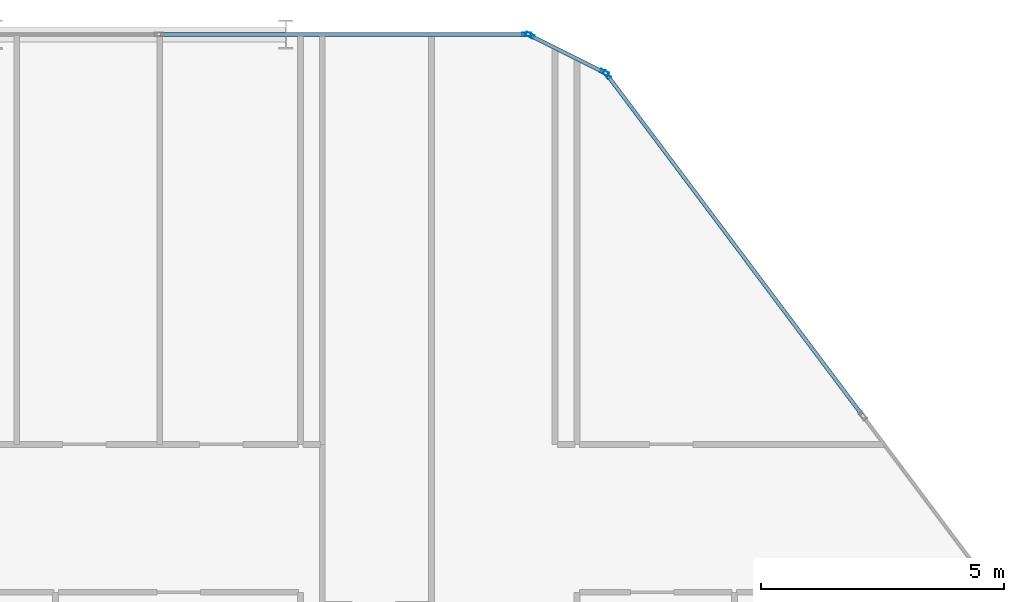
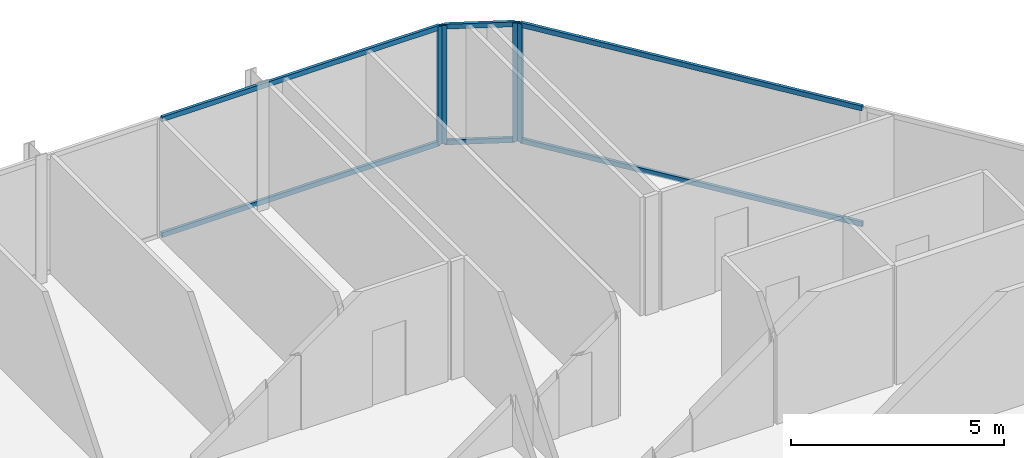
# One storey, part 20 of 30: 10 members, 3 elements without a shape of their own.
"""IFC4 building model written with IfcOpenShell, lengths in metres."""

from ifc_helpers import new_model, si_unit, direction, frame, origin, origin_2d, place, context, subcontext, project, spatial, hollow_rectangle, extrude, material, layer, layer_set, material_profile, profile_set, type_object, element, aggregate, save


model = new_model("IFC4")

# Units and contexts
model_context = context("Model", 3, precision=1e-05, world=origin(), true_north=direction((0.0, 1.0)))
body_context = subcontext(model_context, "Body", "Model", "MODEL_VIEW")
ifc_project = project(units=[si_unit("LENGTHUNIT", "METRE"), si_unit("AREAUNIT", "SQUARE_METRE"), si_unit("VOLUMEUNIT", "CUBIC_METRE"), si_unit("PLANEANGLEUNIT", "RADIAN"), si_unit("MASSUNIT", "GRAM", prefix="KILO")], contexts=[model_context])

# Site, building, storey
site_placement = place(None, origin())
site = spatial("IfcSite", under=ifc_project, at=site_placement, CompositionType="ELEMENT")
building_placement = place(site_placement, origin())
building = spatial("IfcBuilding", under=site, at=building_placement, Name="Keshet Zoharim Tower", CompositionType="ELEMENT")
storey_placement = place(building_placement, frame((0.0, 0.0, 90.89990234375)))
storey = spatial("IfcBuildingStorey", under=building, at=storey_placement, Name="L21", CompositionType="ELEMENT", Elevation=90.89990234375)

# Curtain wall, member
ifc_material = material(Name="Aluminium 6063-T6", Category="aluminium")
ifc_layer = layer(ifc_material, 0.159912109375)
ifc_layer_set = layer_set([ifc_layer], Name="Aluminium 6063-T6")
curtain_wall_type = type_object("IfcCurtainWallType", Name="CW-SYS-03", PredefinedType="NOTDEFINED", material=ifc_layer_set)
curtain_wall_1_placement = place(storey_placement, origin())
curtain_wall_1 = element("IfcCurtainWall", 1, at=curtain_wall_1_placement, inside=storey, type_object=curtain_wall_type, Name="L21 Unitised Curtain Wall 13 Part 5", PredefinedType="NOTDEFINED")
ifc_material_profile_1 = material_profile(ifc_material, hollow_rectangle(XDim=0.080078125, YDim=0.179931640625, WallThickness=0.00439453125, at=origin_2d()), Name="MUL-80x180")
ifc_profile_set_1 = profile_set([ifc_material_profile_1], Name="Aluminium 6063-T6")
member_type_1 = type_object("IfcMemberType", Name="CWM-M18", PredefinedType="MULLION", material=ifc_profile_set_1)
member_1_placement = place(storey_placement, frame((49.965087890625, 53.89990234375, 0.0), z_axis=(0.0, 0.0, 1.0), x_axis=(0.0, 1.0, 0.0)))
member_1 = element("IfcMember", 2, at=member_1_placement, type_object=member_type_1, Name="CW-03 mullion 3", PredefinedType="MULLION", context=body_context, shape_type="SweptSolid", body=[
    extrude(hollow_rectangle(XDim=0.080078125, YDim=0.179931640625, WallThickness=0.00439453125, at=origin_2d()), origin(), (0.0, 0.0, 1.0), 3.385009765625),
])

# Curtain wall, members
curtain_wall_2_placement = place(storey_placement, origin())
curtain_wall_2 = element("IfcCurtainWall", 3, at=curtain_wall_2_placement, inside=storey, type_object=curtain_wall_type, Name="L21 Unitised Curtain Wall 14", PredefinedType="NOTDEFINED")
member_2_placement = place(storey_placement, frame((50.03125, 53.88427734375, 0.0), z_axis=(0.0, 0.0, 1.0), x_axis=(0.447213595499, 0.894427191001, 0.0)))
member_2 = element("IfcMember", 4, at=member_2_placement, type_object=member_type_1, Name="CW-03 mullion 1", PredefinedType="MULLION", context=body_context, shape_type="SweptSolid", body=[
    extrude(hollow_rectangle(XDim=0.080078125, YDim=0.179931640625, WallThickness=0.00439453125, at=origin_2d()), origin(), (0.0, 0.0, 1.0), 3.385009765625),
])
member_3_placement = place(storey_placement, frame((51.568603515625, 53.11572265625, 0.0), z_axis=(0.0, 0.0, 1.0), x_axis=(0.447213595499, 0.894427191001, 0.0)))
member_3 = element("IfcMember", 5, at=member_3_placement, type_object=member_type_1, Name="CW-03 mullion 2", PredefinedType="MULLION", context=body_context, shape_type="SweptSolid", body=[
    extrude(hollow_rectangle(XDim=0.080078125, YDim=0.179931640625, WallThickness=0.00439453125, at=origin_2d()), origin(), (0.0, 0.0, 1.0), 3.385009765625),
])

# Curtain wall, member
curtain_wall_3_placement = place(storey_placement, origin())
curtain_wall_3 = element("IfcCurtainWall", 6, at=curtain_wall_3_placement, inside=storey, type_object=curtain_wall_type, Name="L21 Unitised Curtain Wall 15", PredefinedType="NOTDEFINED")
member_4_placement = place(storey_placement, frame((51.62109375, 53.072021484375, 0.0), z_axis=(0.0, 0.0, 1.0), x_axis=(0.799999999998, 0.600000000002, 0.0)))
member_4 = element("IfcMember", 7, at=member_4_placement, type_object=member_type_1, Name="CW-03 mullion 1", PredefinedType="MULLION", context=body_context, shape_type="SweptSolid", body=[
    extrude(hollow_rectangle(XDim=0.080078125, YDim=0.179931640625, WallThickness=0.00439453125, at=origin_2d()), origin(), (0.0, 0.0, 1.0), 3.385009765625),
])

# Member
ifc_material_profile_2 = material_profile(ifc_material, hollow_rectangle(XDim=0.080078125, YDim=0.139892578125, WallThickness=0.00390625, at=origin_2d()), Name="TRN-80x140")
ifc_profile_set_2 = profile_set([ifc_material_profile_2], Name="Aluminium 6063-T6")
member_type_2 = type_object("IfcMemberType", Name="CWT-T14", PredefinedType="USERDEFINED", material=ifc_profile_set_2)
member_5_placement = place(storey_placement, frame((42.416259765625, 53.89990234375, 0.03515625), z_axis=(1.0, 0.0, 0.0), x_axis=(0.0, 1.0, 0.0)))
member_5 = element("IfcMember", 8, at=member_5_placement, type_object=member_type_2, Name="CW-03 transom 2.1", ObjectType="TRANSOM", PredefinedType="USERDEFINED", context=body_context, shape_type="SweptSolid", body=[
    extrude(hollow_rectangle(XDim=0.080078125, YDim=0.139892578125, WallThickness=0.00390625, at=origin_2d()), origin(), (0.0, 0.0, 1.0), 7.513671875),
])

member_6_placement = place(storey_placement, frame((42.416259765625, 53.89990234375, 3.35009765625), z_axis=(1.0, 0.0, 0.0), x_axis=(0.0, 1.0, 0.0)))
member_6 = element("IfcMember", 9, at=member_6_placement, type_object=member_type_2, Name="CW-03 transom 2.2", ObjectType="TRANSOM", PredefinedType="USERDEFINED", context=body_context, shape_type="SweptSolid", body=[
    extrude(hollow_rectangle(XDim=0.080078125, YDim=0.139892578125, WallThickness=0.00390625, at=origin_2d()), origin(), (0.0, 0.0, 1.0), 7.513671875),
])

aggregate(curtain_wall_1, [member_1, member_5, member_6])

member_7_placement = place(storey_placement, frame((50.0625, 53.86865234375, 0.03515625), z_axis=(0.894456801911, -0.447154368775, 0.0), x_axis=(0.447154368775, 0.894456801911, 0.0)))
member_7 = element("IfcMember", 10, at=member_7_placement, type_object=member_type_2, Name="CW-03 transom 1.1", ObjectType="TRANSOM", PredefinedType="USERDEFINED", context=body_context, shape_type="SweptSolid", body=[
    extrude(hollow_rectangle(XDim=0.080078125, YDim=0.139892578125, WallThickness=0.00390625, at=origin_2d()), origin(), (0.0, 0.0, 1.0), 1.64892578125),
])

member_8_placement = place(storey_placement, frame((50.0625, 53.86865234375, 3.35009765625), z_axis=(0.894456801911, -0.447154368775, 0.0), x_axis=(0.447154368775, 0.894456801911, 0.0)))
member_8 = element("IfcMember", 11, at=member_8_placement, type_object=member_type_2, Name="CW-03 transom 1.2", ObjectType="TRANSOM", PredefinedType="USERDEFINED", context=body_context, shape_type="SweptSolid", body=[
    extrude(hollow_rectangle(XDim=0.080078125, YDim=0.139892578125, WallThickness=0.00390625, at=origin_2d()), origin(), (0.0, 0.0, 1.0), 1.64892578125),
])

aggregate(curtain_wall_2, [member_2, member_3, member_7, member_8])

member_9_placement = place(storey_placement, frame((51.64208984375, 53.0439453125, 0.03515625), z_axis=(0.599991043201, -0.800006717521, 0.0), x_axis=(0.800006717521, 0.599991043201, 0.0)))
member_9 = element("IfcMember", 12, at=member_9_placement, type_object=member_type_2, Name="CW-03 transom 1.1", ObjectType="TRANSOM", PredefinedType="USERDEFINED", context=body_context, shape_type="SweptSolid", body=[
    extrude(hollow_rectangle(XDim=0.080078125, YDim=0.139892578125, WallThickness=0.00390625, at=origin_2d()), origin(), (0.0, 0.0, 1.0), 8.722412109375),
])

member_10_placement = place(storey_placement, frame((51.64208984375, 53.0439453125, 3.35009765625), z_axis=(0.599991043201, -0.800006717521, 0.0), x_axis=(0.800006717521, 0.599991043201, 0.0)))
member_10 = element("IfcMember", 13, at=member_10_placement, type_object=member_type_2, Name="CW-03 transom 1.2", ObjectType="TRANSOM", PredefinedType="USERDEFINED", context=body_context, shape_type="SweptSolid", body=[
    extrude(hollow_rectangle(XDim=0.080078125, YDim=0.139892578125, WallThickness=0.00390625, at=origin_2d()), origin(), (0.0, 0.0, 1.0), 8.722412109375),
])

aggregate(curtain_wall_3, [member_4, member_9, member_10])

save(model, "model.ifc")
